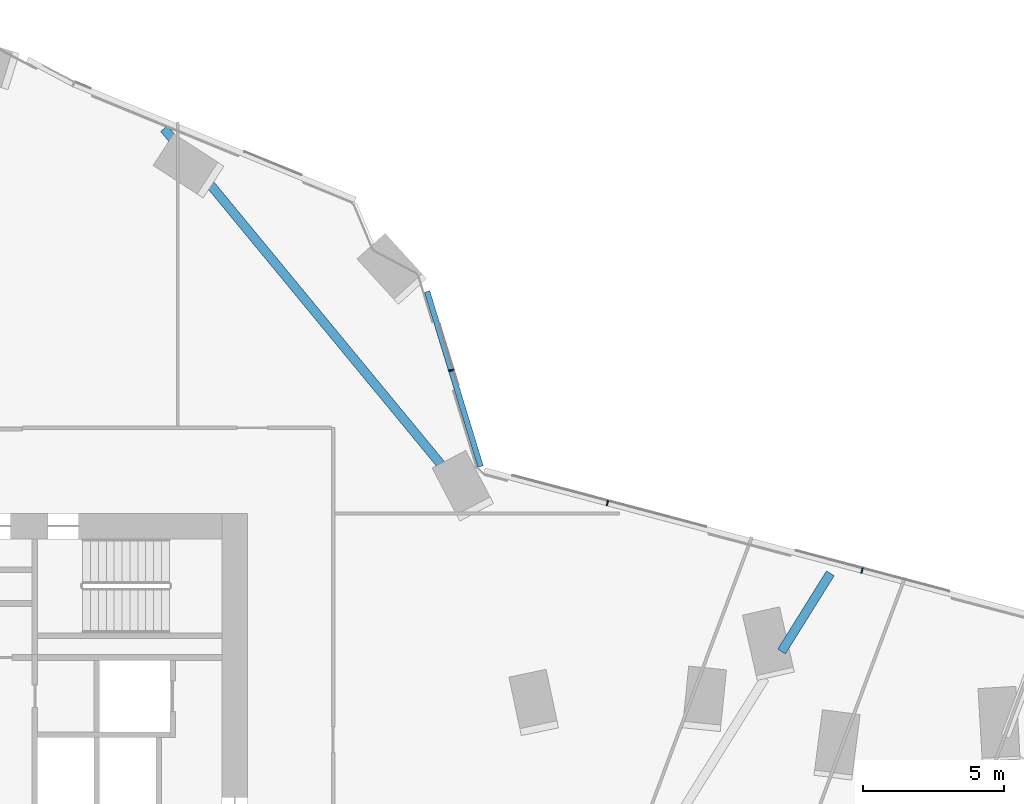
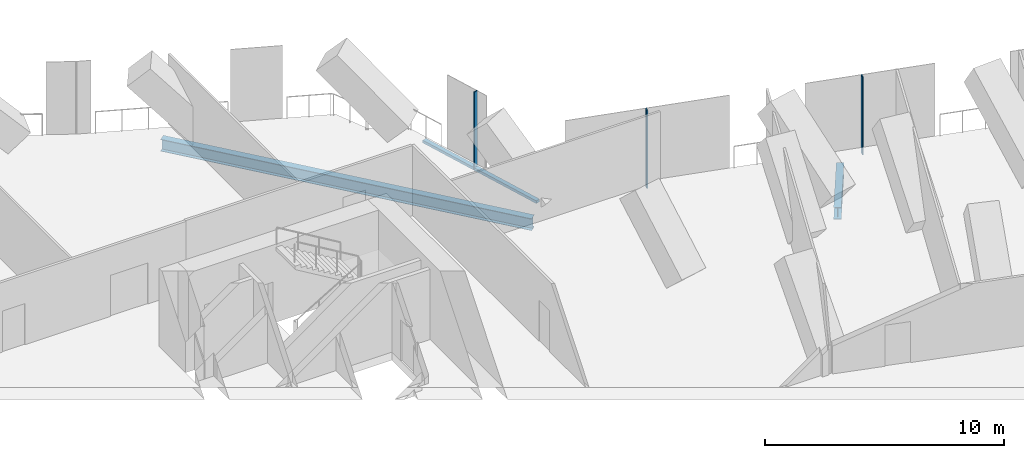
# One storey, part 14 of 34: 4 members, 2 beams, 2 elements without a shape of their own.
"""IFC4 building model written with IfcOpenShell, lengths in metres."""

from ifc_helpers import new_model, si_unit, direction, frame, origin, origin_2d, place, context, subcontext, project, spatial, rectangle, i_section, extrude, material, material_profile, profile_set, type_object, element, aggregate, save


model = new_model("IFC4")

# Units and contexts
model_context = context("Model", 3, precision=1e-05, world=origin(), true_north=direction((0.0, 1.0)))
body_context = subcontext(model_context, "Body", "Model", "MODEL_VIEW")
ifc_project = project(units=[si_unit("LENGTHUNIT", "METRE"), si_unit("AREAUNIT", "SQUARE_METRE"), si_unit("VOLUMEUNIT", "CUBIC_METRE"), si_unit("PLANEANGLEUNIT", "RADIAN"), si_unit("MASSUNIT", "GRAM", prefix="KILO")], contexts=[model_context])

# Site, building, storey
site_placement = place(None, origin())
site = spatial("IfcSite", under=ifc_project, at=site_placement, CompositionType="ELEMENT")
building_placement = place(site_placement, origin())
building = spatial("IfcBuilding", under=site, at=building_placement, Name="Orlundy Tower", CompositionType="ELEMENT")
storey_placement = place(building_placement, frame((0.0, 0.0, 98.199951171875)))
storey = spatial("IfcBuildingStorey", under=building, at=storey_placement, Name="L24", CompositionType="ELEMENT", Elevation=98.199951171875)

# Beams
ifc_material_1 = material(Name="Steel ASTM A992 Gr 50", Category="steel")
ifc_material_profile_1 = material_profile(ifc_material_1, i_section(OverallWidth=0.32373046875, OverallDepth=0.611083984375, WebThickness=0.0126953125, FlangeThickness=0.01904296875, at=origin_2d()), Name="W24X104")
ifc_profile_set_1 = profile_set([ifc_material_profile_1], Name="Steel ASTM A992 Gr 50")
beam_type = type_object("IfcBeamType", Name="CANTILEVER GIRDER beam W24X104", PredefinedType="BEAM", material=ifc_profile_set_1)
beam_1_placement = place(storey_placement, frame((39.734375, 9.870361328125, -0.70556640625), z_axis=(-0.529208566559, -0.848491775494, 0.0), x_axis=(0.848491775494, -0.529208566559, 0.0)))
element("IfcBeam", 1, at=beam_1_placement, inside=storey, type_object=beam_type, Name="Cantilever girder C-A5-1 L24", PredefinedType="BEAM", context=body_context, shape_type="SweptSolid", body=[
    extrude(i_section(OverallWidth=0.32373046875, OverallDepth=0.611083984375, WebThickness=0.0126953125, FlangeThickness=0.01904296875, at=origin_2d()), origin(), (0.0, 0.0, 1.0), 3.27734375),
])
beam_2_placement = place(storey_placement, frame((16.035400390625, 25.6923828125, -0.70556640625), z_axis=(0.636090068077, -0.771614816663, 0.0), x_axis=(0.771614816663, 0.636090068077, 0.0)))
element("IfcBeam", 2, at=beam_2_placement, inside=storey, type_object=beam_type, Name="Cantilever girder C-H24 L24", PredefinedType="BEAM", context=body_context, shape_type="SweptSolid", body=[
    extrude(i_section(OverallWidth=0.32373046875, OverallDepth=0.611083984375, WebThickness=0.0126953125, FlangeThickness=0.01904296875, at=origin_2d()), origin(), (0.0, 0.0, 1.0), 16.605712890625),
])

# Curtain wall, member
ifc_material_2 = material(Name="Aluminium bronze anodised", Category="aluminium")
curtain_wall_type = type_object("IfcCurtainWallType", Name="CW5 wall", PredefinedType="NOTDEFINED", material=ifc_material_2)
curtain_wall_1_placement = place(storey_placement, origin())
curtain_wall_1 = element("IfcCurtainWall", 3, at=curtain_wall_1_placement, inside=storey, type_object=curtain_wall_type, Name="CW5 run 028", PredefinedType="NOTDEFINED")
ifc_material_3 = material(Name="Aluminium bronze anodised", Category="aluminium")
ifc_material_profile_2 = material_profile(ifc_material_3, rectangle(XDim=0.199951171875, YDim=0.050048828125, at=origin_2d()), Name="CW5 mullion 50x200")
ifc_profile_set_2 = profile_set([ifc_material_profile_2], Name="Aluminium bronze anodised")
member_type_1 = type_object("IfcMemberType", Name="CW5 mullion 50x200", PredefinedType="MULLION", material=ifc_profile_set_2)
member_1_placement = place(storey_placement, frame((26.24951171875, 17.09326171875, -0.39990234375), z_axis=(0.0, 0.0, 1.0), x_axis=(0.956295736998, 0.2924012028, 0.0)))
member_1 = element("IfcMember", 4, at=member_1_placement, type_object=member_type_1, Name="CW5 mullion 49", PredefinedType="MULLION", context=body_context, shape_type="SweptSolid", body=[
    extrude(rectangle(XDim=0.199951171875, YDim=0.050048828125, at=origin_2d()), origin(), (0.0, 0.0, 1.0), 4.0),
])

# Curtain wall, members
curtain_wall_2_placement = place(storey_placement, origin())
curtain_wall_2 = element("IfcCurtainWall", 5, at=curtain_wall_2_placement, inside=storey, type_object=curtain_wall_type, Name="CW5 run 029", PredefinedType="NOTDEFINED")
member_2_placement = place(storey_placement, frame((31.8056640625, 12.370361328125, -0.39990234375), z_axis=(0.0, 0.0, 1.0), x_axis=(0.256032403312, 0.966668199774, 0.0)))
member_2 = element("IfcMember", 6, at=member_2_placement, type_object=member_type_1, Name="CW5 mullion 51", PredefinedType="MULLION", context=body_context, shape_type="SweptSolid", body=[
    extrude(rectangle(XDim=0.199951171875, YDim=0.050048828125, at=origin_2d()), origin(), (0.0, 0.0, 1.0), 4.0),
])
member_3_placement = place(storey_placement, frame((40.862060546875, 9.9716796875, -0.39990234375), z_axis=(0.0, 0.0, 1.0), x_axis=(0.256032403312, 0.966668199774, 0.0)))
member_3 = element("IfcMember", 7, at=member_3_placement, type_object=member_type_1, Name="CW5 mullion 53", PredefinedType="MULLION", context=body_context, shape_type="SweptSolid", body=[
    extrude(rectangle(XDim=0.199951171875, YDim=0.050048828125, at=origin_2d()), origin(), (0.0, 0.0, 1.0), 4.0),
])
aggregate(curtain_wall_2, [member_2, member_3])

# Member
ifc_material_4 = material(Name="Aluminium bronze anodised", Category="aluminium")
ifc_material_profile_3 = material_profile(ifc_material_4, rectangle(XDim=0.199951171875, YDim=0.139892578125, at=origin_2d()), Name="CW5 transom 200x140")
ifc_profile_set_3 = profile_set([ifc_material_profile_3], Name="Aluminium bronze anodised")
member_type_2 = type_object("IfcMemberType", Name="CW5 transom 200x140", PredefinedType="USERDEFINED", material=ifc_profile_set_3)
member_4_placement = place(storey_placement, frame((25.39306640625, 19.89501953125, -0.329833984375), z_axis=(0.292372844423, -0.956304407521, 0.0), x_axis=(0.956304407521, 0.292372844423, 0.0)))
member_4 = element("IfcMember", 8, at=member_4_placement, type_object=member_type_2, Name="CW5 transom", ObjectType="TRANSOM", PredefinedType="USERDEFINED", context=body_context, shape_type="SweptSolid", body=[
    extrude(rectangle(XDim=0.199951171875, YDim=0.139892578125, at=origin_2d()), origin(), (0.0, 0.0, 1.0), 6.511474609375),
])

aggregate(curtain_wall_1, [member_1, member_4])

save(model, "model.ifc")
